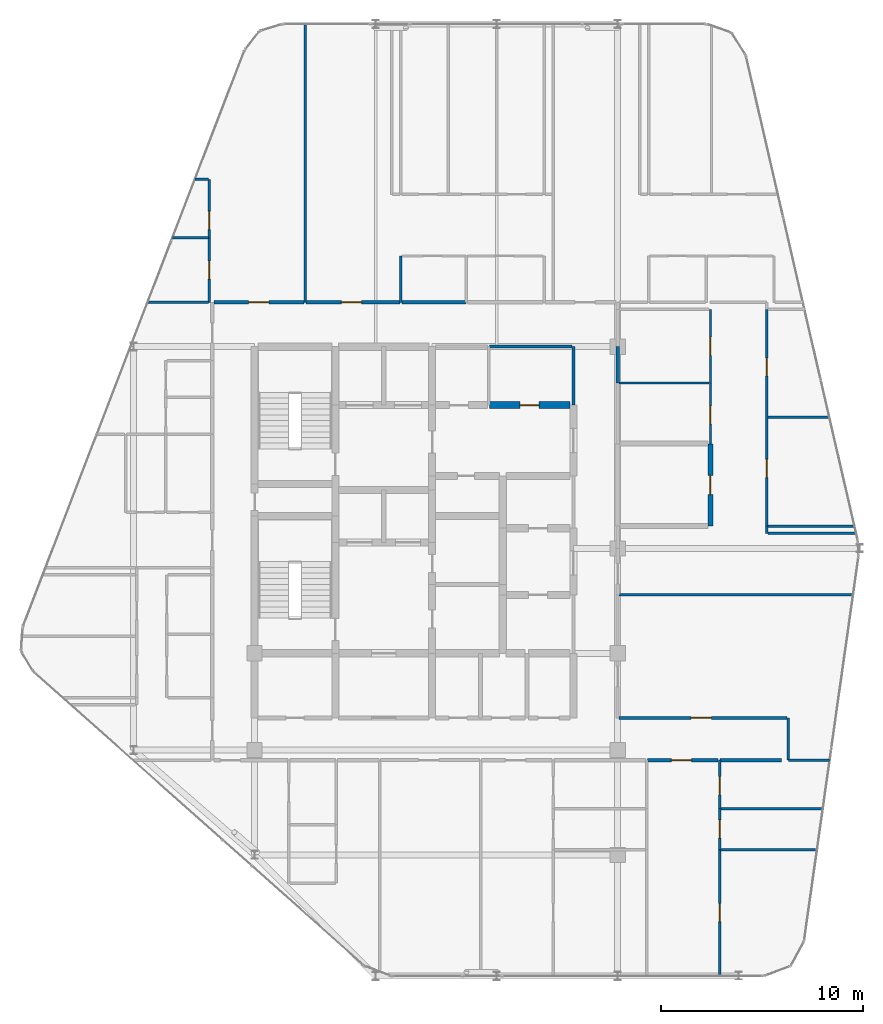
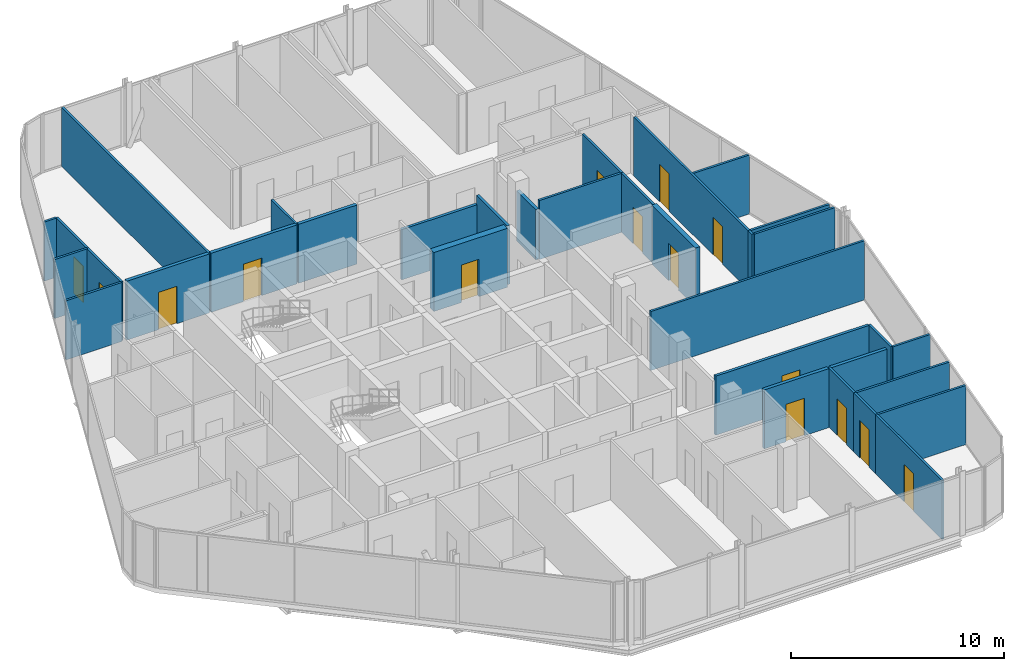
# One storey, part 25 of 27: 34 walls, 15 doors, 15 openings.
"""IFC4 building model written with IfcOpenShell, lengths in metres."""

import ifcopenshell
import ifcopenshell.guid

model = None  # the IFC model being written
_history = None  # IfcOwnerHistory: only IFC2X3 demands one
_inside = {}  # id of a spatial element -> (the spatial element, [elements in it])
_under = {}  # id of a project, library or spatial element -> (it, [spatial elements below it])
_declared = {}  # id of a project -> (the project, [libraries it declares])
_typed = {}  # id of a type object -> (the type object, [elements of that type])
_made_of = {}  # id of a material, layer set ... -> (it, [elements and type objects made of it])


def new_model(schema):
    """Start an empty IFC model of exactly this schema.

    Asked for "IFC4X3", IfcOpenShell would pick the latest addendum, in which some entities
    have other attributes; the version numbers below select the first issue.
    IFC2X3 requires an IfcOwnerHistory on every rooted entity: one is made here for all.
    """
    global model, _history
    if schema == "IFC4X3":
        model = ifcopenshell.file(schema_version=(4, 3, 0, 0))
    else:
        model = ifcopenshell.file(schema=schema)
    _inside.clear()
    _under.clear()
    _declared.clear()
    _typed.clear()
    _made_of.clear()
    _history = None
    if model.schema == "IFC2X3":
        org = make("IfcOrganization", Name="unknown")
        user = make(
            "IfcPersonAndOrganization",
            ThePerson=make("IfcPerson", FamilyName="unknown"),
            TheOrganization=org,
        )
        app = make(
            "IfcApplication",
            ApplicationDeveloper=org,
            Version="unknown",
            ApplicationFullName="unknown",
            ApplicationIdentifier="unknown",
        )
        _history = make(
            "IfcOwnerHistory",
            OwningUser=user,
            OwningApplication=app,
            ChangeAction="ADDED",
            CreationDate=0,
        )
    return model


def make(cls, **values):
    """One entity of the class cls with the attributes given. An attribute that is None is left unset."""
    return model.create_entity(
        cls, **{name: value for name, value in values.items() if value is not None}
    )


def rooted(cls, **values):
    """An entity with a GlobalId (a new one), such as an element, a storey or a relation."""
    return make(cls, GlobalId=ifcopenshell.guid.new(), OwnerHistory=_history, **values)


def si_unit(unit_type, name, prefix=None):
    """IfcSIUnit, for example si_unit("LENGTHUNIT", "METRE", prefix="MILLI")."""
    return make("IfcSIUnit", UnitType=unit_type, Prefix=prefix, Name=name)


def assignment(units):
    """IfcUnitAssignment: the units of a project."""
    return None if units is None else make("IfcUnitAssignment", Units=units)


def point(xyz):
    """IfcCartesianPoint."""
    return None if xyz is None else make("IfcCartesianPoint", Coordinates=xyz)


def direction(xyz):
    """IfcDirection."""
    return None if xyz is None else make("IfcDirection", DirectionRatios=xyz)


def frame(location, z_axis=None, x_axis=None):
    """IfcAxis2Placement3D, a coordinate frame: its origin and axes. An axis left out is left unset."""
    return make(
        "IfcAxis2Placement3D",
        Location=point(location),
        Axis=direction(z_axis),
        RefDirection=direction(x_axis),
    )


def frame_2d(location, x_axis=None):
    """IfcAxis2Placement2D, a coordinate frame in the plane: its origin and x axis."""
    return make(
        "IfcAxis2Placement2D", Location=point(location), RefDirection=direction(x_axis)
    )


def origin():
    """The frame at (0, 0, 0) with its axes left unset."""
    return frame((0.0, 0.0, 0.0))


def place(relative_to, where):
    """IfcLocalPlacement: puts the frame where relative to a parent placement (None: the world)."""
    return make(
        "IfcLocalPlacement", PlacementRelTo=relative_to, RelativePlacement=where
    )


def context(
    kind, dimensions, precision=None, world=None, true_north=None, identifier=None
):
    """IfcGeometricRepresentationContext, for example the 3D "Model" context."""
    return make(
        "IfcGeometricRepresentationContext",
        ContextIdentifier=identifier,
        ContextType=kind,
        CoordinateSpaceDimension=dimensions,
        Precision=precision,
        WorldCoordinateSystem=world,
        TrueNorth=true_north,
    )


def subcontext(parent, identifier, kind, view, scale=None):
    """IfcGeometricRepresentationSubContext, for example "Body" below "Model"."""
    return make(
        "IfcGeometricRepresentationSubContext",
        ContextIdentifier=identifier,
        ContextType=kind,
        ParentContext=parent,
        TargetScale=scale,
        TargetView=view,
    )


def project(units=None, contexts=None):
    """IfcProject with its units and contexts."""
    return rooted(
        "IfcProject",
        Name="project",
        RepresentationContexts=contexts,
        UnitsInContext=assignment(units),
    )


def spatial(cls, under=None, at=None, **own):
    """A site, building, storey or space (cls), placed at a placement, below another one or the project."""
    s = rooted(cls, ObjectPlacement=at, **own)
    if under is not None:
        _under.setdefault(under.id(), (under, []))[1].append(s)
    return s


def profile(cls, at=None, kind="AREA", **sizes):
    """A parametric profile (cls). Its sizes go by their IFC names, for example OverallWidth=200.0."""
    return make(cls, ProfileType=kind, Position=at, **sizes)


def rectangle(**sizes):
    """IfcRectangleProfileDef."""
    return profile("IfcRectangleProfileDef", **sizes)


def extrude(swept, where, along, depth):
    """IfcExtrudedAreaSolid: the profile swept, set in the frame where, extruded along a direction by depth."""
    return make(
        "IfcExtrudedAreaSolid",
        SweptArea=swept,
        Position=where,
        ExtrudedDirection=direction(along),
        Depth=depth,
    )


def shape(context_of_items, identifier, shape_type, items):
    """IfcShapeRepresentation: the items that make up one representation, for example the "Body"."""
    return make(
        "IfcShapeRepresentation",
        ContextOfItems=context_of_items,
        RepresentationIdentifier=identifier,
        RepresentationType=shape_type,
        Items=items,
    )


def material(Name=None, Category=None):
    """IfcMaterial."""
    return make("IfcMaterial", Name=Name, Category=Category)


def layer(
    of_material, thickness, ventilated=None, Name=None, Category=None, Priority=None
):
    """IfcMaterialLayer: one layer of a wall or slab, of a material (None: an air gap)."""
    return make(
        "IfcMaterialLayer",
        Material=of_material,
        LayerThickness=thickness,
        IsVentilated=ventilated,
        Name=Name,
        Category=Category,
        Priority=Priority,
    )


def layer_set(layers, Name=None):
    """IfcMaterialLayerSet."""
    return make("IfcMaterialLayerSet", MaterialLayers=layers, LayerSetName=Name)


def made_of(thing, what):
    """Note that an element or type object is made of a material, layer set ...; save() writes the relation."""
    if what is not None:
        _made_of.setdefault(what.id(), (what, []))[1].append(thing)
    return thing


def type_object(cls, material=None, **own):
    """A type object (cls), such as IfcWallType, which elements share."""
    return made_of(rooted(cls, **own), material)


def element(
    cls,
    number,
    at=None,
    inside=None,
    cuts=None,
    type_object=None,
    material=None,
    context=None,
    identifier="Body",
    shape_type=None,
    held_by="IfcProductDefinitionShape",
    body=None,
    shapes=None,
    **own,
):
    """One element of the class cls, such as IfcWall. Its Tag is "e" and its number.

    at: its placement. inside: the storey or other place that contains it. cuts: it is an
    opening in that element (IfcRelVoidsElement). A single representation is given by context,
    identifier, shape_type and body (its items); several are given by shapes. held_by: the class
    of the entity that holds the representations. save() writes the other relations.
    """
    e = rooted(cls, Tag="e%d" % number, ObjectPlacement=at, **own)
    if body is not None:
        shapes = [shape(context, identifier, shape_type, body)]
    if shapes is not None:
        e.Representation = make(held_by, Representations=shapes)
    if inside is not None:
        _inside.setdefault(inside.id(), (inside, []))[1].append(e)
    if cuts is not None:
        rooted(
            "IfcRelVoidsElement", RelatingBuildingElement=cuts, RelatedOpeningElement=e
        )
    if type_object is not None:
        _typed.setdefault(type_object.id(), (type_object, []))[1].append(e)
    return made_of(e, material)


def fill(opening, filler):
    """IfcRelFillsElement: the door or window that sits in an opening."""
    return rooted(
        "IfcRelFillsElement",
        RelatingOpeningElement=opening,
        RelatedBuildingElement=filler,
    )


def aggregate(whole, parts):
    """IfcRelAggregates: a whole, such as a stair, and the parts it consists of."""
    return rooted("IfcRelAggregates", RelatingObject=whole, RelatedObjects=parts)


def save(model, path):
    """Write the relations noted so far, then the file.

    IfcRelAggregates (storeys below a building ...), IfcRelContainedInSpatialStructure (elements
    in a storey), IfcRelDefinesByType, IfcRelAssociatesMaterial and IfcRelDeclares: one each for
    every whole, place, type object, material and project.
    """
    for whole, parts in _under.values():
        aggregate(whole, parts)
    for where, things in _inside.values():
        rooted(
            "IfcRelContainedInSpatialStructure",
            RelatedElements=things,
            RelatingStructure=where,
        )
    for kind, things in _typed.values():
        rooted("IfcRelDefinesByType", RelatedObjects=things, RelatingType=kind)
    for what, things in _made_of.values():
        rooted("IfcRelAssociatesMaterial", RelatedObjects=things, RelatingMaterial=what)
    for by, libraries in _declared.values():
        rooted("IfcRelDeclares", RelatingContext=by, RelatedDefinitions=libraries)
    model.write(path)


model = new_model("IFC4")

# Units and contexts
model_context = context("Model", 3, precision=1e-05, world=origin(), true_north=direction((0.0, 1.0)))
body_context = subcontext(model_context, "Body", "Model", "MODEL_VIEW")
ifc_project = project(units=[si_unit("LENGTHUNIT", "METRE"), si_unit("AREAUNIT", "SQUARE_METRE"), si_unit("VOLUMEUNIT", "CUBIC_METRE"), si_unit("PLANEANGLEUNIT", "RADIAN"), si_unit("MASSUNIT", "GRAM", prefix="KILO")], contexts=[model_context])

# Site, building, storey
site_placement = place(None, origin())
site = spatial("IfcSite", under=ifc_project, at=site_placement, CompositionType="ELEMENT")
building_placement = place(site_placement, origin())
building = spatial("IfcBuilding", under=site, at=building_placement, Name="Keshet Zoharim Tower", CompositionType="ELEMENT")
storey_placement = place(building_placement, frame((0.0, 0.0, 262.10009765625)))
storey = spatial("IfcBuildingStorey", under=building, at=storey_placement, Name="L65", CompositionType="ELEMENT", Elevation=262.10009765625)

# Wall
ifc_material_1 = material(Name="Gypsum Plasterboard", Category="gypsum")
ifc_layer_1 = layer(ifc_material_1, 0.14990234375)
ifc_layer_set_1 = layer_set([ifc_layer_1], Name="Gypsum Plasterboard")
wall_type_1 = type_object("IfcWallType", Name="WL-CLIN-150", PredefinedType="STANDARD", material=ifc_layer_set_1)
wall_1_placement = place(storey_placement, frame((30.800048828125, 35.0, 0.0), z_axis=(0.0, 0.0, 1.0), x_axis=(0.0, 1.0, 0.0)))
element("IfcWall", 1, at=wall_1_placement, inside=storey, type_object=wall_type_1, Name="L65 Interior Wall 070", PredefinedType="STANDARD", context=body_context, shape_type="SweptSolid", body=[
    extrude(rectangle(XDim=2.89990234375, YDim=0.14990234375, at=frame_2d((1.449951171875, 0.0))), origin(), (0.0, 0.0, 1.0), 3.389892578125),
])

# Wall, opening, door
wall_2_placement = place(storey_placement, frame((33.06005859375, 19.5, 0.0), z_axis=(0.0, 0.0, 1.0), x_axis=(1.0, 0.0, 0.0)))
wall_2 = element("IfcWall", 2, at=wall_2_placement, inside=storey, type_object=wall_type_1, Name="L65 Interior Wall 116", PredefinedType="STANDARD", context=body_context, shape_type="SweptSolid", body=[
    extrude(rectangle(XDim=8.322998046875, YDim=0.14990234375, at=frame_2d((4.16162109375, 0.0))), origin(), (0.0, 0.0, 1.0), 3.389892578125),
])
opening_1_placement = place(wall_2_placement, frame((3.5830078125, 0.0, 0.0)))
opening_1 = element("IfcOpeningElement", 3, at=opening_1_placement, cuts=wall_2, Name="Opening D-F310", PredefinedType="OPENING", context=body_context, shape_type="SweptSolid", body=[
    extrude(rectangle(XDim=1.0, YDim=2.14990234375, at=frame_2d((0.5, 1.074951171875))), frame((0.0, 0.0849609375, 0.0), z_axis=(0.0, -1.0, 0.0), x_axis=(1.0, 0.0, 0.0)), (0.0, 0.0, 1.0), 0.169921875),
])
ifc_material_2 = material(Name="Hardwood Timber", Category="wood")
door_type_1 = type_object("IfcDoorType", Name="DR-FD30-100", OperationType="NOTDEFINED", PredefinedType="DOOR", material=ifc_material_2)
door_1_placement = place(opening_1_placement, origin())
door_1 = element("IfcDoor", 4, at=door_1_placement, inside=storey, type_object=door_type_1, Name="L65 South West Residents Services Suite Door 1", OperationType="SINGLE_SWING_RIGHT", OverallHeight=2.14990234375, OverallWidth=1.0, PredefinedType="DOOR", context=body_context, shape_type="SweptSolid", body=[
    extrude(rectangle(XDim=1.0, YDim=2.14990234375, at=frame_2d((0.5, 1.074951171875))), frame((0.0, 0.02490234375, 0.0), z_axis=(0.0, -1.0, 0.0), x_axis=(1.0, 0.0, 0.0)), (0.0, 0.0, 1.0), 0.050048828125),
])
fill(opening_1, door_1)

# Wall
wall_3_placement = place(storey_placement, frame((26.64501953125, 37.89990234375, 0.0), z_axis=(0.0, 0.0, 1.0), x_axis=(1.0, 0.0, 0.0)))
element("IfcWall", 5, at=wall_3_placement, inside=storey, type_object=wall_type_1, Name="L65 Interior Wall 161", PredefinedType="STANDARD", context=body_context, shape_type="SweptSolid", body=[
    extrude(rectangle(XDim=4.094970703125, YDim=0.14990234375, at=frame_2d((2.04736328125, 0.0))), origin(), (0.0, 0.0, 1.0), 2.889892578125),
])

# Wall, opening, door
ifc_material_3 = material(Name="Concrete C60/75", Category="concrete")
ifc_layer_2 = layer(ifc_material_3, 0.35009765625)
ifc_layer_set_2 = layer_set([ifc_layer_2], Name="Concrete C60/75")
wall_type_2 = type_object("IfcWallType", Name="WL-CORE-350", PredefinedType="SHEAR", material=ifc_layer_set_2)
wall_4_placement = place(storey_placement, frame((26.64501953125, 35.0, 0.0), z_axis=(0.0, 0.0, 1.0), x_axis=(1.0, 0.0, 0.0)))
wall_4 = element("IfcWall", 6, at=wall_4_placement, inside=storey, type_object=wall_type_2, Name="L65 Core Shear Wall 154", PredefinedType="SHEAR", context=body_context, shape_type="SweptSolid", body=[
    extrude(rectangle(XDim=3.994873046875, YDim=0.35009765625, at=frame_2d((1.99755859375, 0.0))), origin(), (0.0, 0.0, 1.0), 3.389892578125),
])
opening_2_placement = place(wall_4_placement, frame((1.508056640625, 0.0, 0.0)))
opening_2 = element("IfcOpeningElement", 7, at=opening_2_placement, cuts=wall_4, Name="Opening D-F695", PredefinedType="OPENING", context=body_context, shape_type="SweptSolid", body=[
    extrude(rectangle(XDim=0.949951171875, YDim=2.14990234375, at=frame_2d((0.47509765625, 1.074951171875))), frame((0.0, 0.18505859375, 0.0), z_axis=(0.0, -1.0, 0.0), x_axis=(1.0, 0.0, 0.0)), (0.0, 0.0, 1.0), 0.3701171875),
])
door_type_2 = type_object("IfcDoorType", Name="DR-FD60-095", OperationType="NOTDEFINED", PredefinedType="DOOR", material=ifc_material_2)
door_2_placement = place(opening_2_placement, frame((0.949951171875, 0.0, 0.0), z_axis=(0.0, 0.0, 1.0), x_axis=(-1.0, 0.0, 0.0)))
door_2 = element("IfcDoor", 8, at=door_2_placement, inside=storey, type_object=door_type_2, Name="L65 Quiet Study Room Door", OperationType="SINGLE_SWING_RIGHT", OverallHeight=2.14990234375, OverallWidth=0.949951171875, PredefinedType="DOOR", context=body_context, shape_type="SweptSolid", body=[
    extrude(rectangle(XDim=0.949951171875, YDim=2.14990234375, at=frame_2d((0.47509765625, 1.074951171875))), frame((0.0, 0.02490234375, 0.0), z_axis=(0.0, -1.0, 0.0), x_axis=(1.0, 0.0, 0.0)), (0.0, 0.0, 1.0), 0.050048828125),
])
fill(opening_2, door_2)

# Wall
ifc_layer_3 = layer(ifc_material_1, 0.179931640625)
ifc_layer_set_3 = layer_set([ifc_layer_3], Name="Gypsum Plasterboard")
wall_type_3 = type_object("IfcWallType", Name="WL-CORR-180", PredefinedType="STANDARD", material=ifc_layer_set_3)
wall_5_placement = place(storey_placement, frame((33.0, 36.094970703125, 0.0), z_axis=(0.0, 0.0, 1.0), x_axis=(0.0, 1.0, 0.0)))
element("IfcWall", 9, at=wall_5_placement, inside=storey, type_object=wall_type_3, Name="L65 Interior Wall 075", PredefinedType="STANDARD", context=body_context, shape_type="SweptSolid", body=[
    extrude(rectangle(XDim=1.804931640625, YDim=0.179931640625, at=frame_2d((0.90234375, 0.0))), origin(), (0.0, 0.0, 1.0), 2.889892578125),
])

# Wall, opening, door
wall_6_placement = place(storey_placement, frame((34.47509765625, 17.39990234375, 0.0), z_axis=(0.0, 0.0, 1.0), x_axis=(1.0, 0.0, 0.0)))
wall_6 = element("IfcWall", 10, at=wall_6_placement, inside=storey, type_object=wall_type_3, Name="L65 Interior Wall 109", PredefinedType="STANDARD", context=body_context, shape_type="SweptSolid", body=[
    extrude(rectangle(XDim=3.510009765625, YDim=0.179931640625, at=frame_2d((1.7548828125, 0.0))), origin(), (0.0, 0.0, 1.0), 3.389892578125),
])
opening_3_placement = place(wall_6_placement, frame((1.18505859375, 0.0, 0.0)))
opening_3 = element("IfcOpeningElement", 11, at=opening_3_placement, cuts=wall_6, Name="Opening D-F310", PredefinedType="OPENING", context=body_context, shape_type="SweptSolid", body=[
    extrude(rectangle(XDim=1.0, YDim=2.14990234375, at=frame_2d((0.5, 1.074951171875))), frame((0.0, 0.10009765625, 0.0), z_axis=(0.0, -1.0, 0.0), x_axis=(1.0, 0.0, 0.0)), (0.0, 0.0, 1.0), 0.199951171875),
])
door_3_placement = place(opening_3_placement, origin())
door_3 = element("IfcDoor", 12, at=door_3_placement, inside=storey, type_object=door_type_1, Name="Apartment 6503 Entrance Door", OperationType="SINGLE_SWING_RIGHT", OverallHeight=2.14990234375, OverallWidth=1.0, PredefinedType="DOOR", context=body_context, shape_type="SweptSolid", body=[
    extrude(rectangle(XDim=1.0, YDim=2.14990234375, at=frame_2d((0.5, 1.074951171875))), frame((0.0, 0.02490234375, 0.0), z_axis=(0.0, -1.0, 0.0), x_axis=(1.0, 0.0, 0.0)), (0.0, 0.0, 1.0), 0.050048828125),
])
fill(opening_3, door_3)

# Wall
wall_7_placement = place(storey_placement, frame((38.074951171875, 17.39990234375, 0.0), z_axis=(0.0, 0.0, 1.0), x_axis=(1.0, 0.0, 0.0)))
element("IfcWall", 13, at=wall_7_placement, inside=storey, type_object=wall_type_3, Name="L65 Interior Wall 110", PredefinedType="STANDARD", context=body_context, shape_type="SweptSolid", body=[
    extrude(rectangle(XDim=3.054931640625, YDim=0.179931640625, at=frame_2d((1.52734375, 0.0))), origin(), (0.0, 0.0, 1.0), 3.389892578125),
])

# Wall, opening, door
wall_8_placement = place(storey_placement, frame((12.97509765625, 40.10009765625, 0.0), z_axis=(0.0, 0.0, 1.0), x_axis=(1.0, 0.0, 0.0)))
wall_8 = element("IfcWall", 14, at=wall_8_placement, inside=storey, type_object=wall_type_3, Name="L65 Interior Wall 165", PredefinedType="STANDARD", context=body_context, shape_type="SweptSolid", body=[
    extrude(rectangle(XDim=4.47998046875, YDim=0.179931640625, at=frame_2d((2.239990234375, 0.0))), origin(), (0.0, 0.0, 1.0), 3.389892578125),
])
opening_4_placement = place(wall_8_placement, frame((1.72509765625, 0.0, 0.0)))
opening_4 = element("IfcOpeningElement", 15, at=opening_4_placement, cuts=wall_8, Name="Opening D-F310", PredefinedType="OPENING", context=body_context, shape_type="SweptSolid", body=[
    extrude(rectangle(XDim=1.0, YDim=2.14990234375, at=frame_2d((0.5, 1.074951171875))), frame((0.0, 0.10009765625, 0.0), z_axis=(0.0, -1.0, 0.0), x_axis=(1.0, 0.0, 0.0)), (0.0, 0.0, 1.0), 0.199951171875),
])
door_4_placement = place(opening_4_placement, origin())
door_4 = element("IfcDoor", 16, at=door_4_placement, inside=storey, type_object=door_type_1, Name="Apartment 6504 Entrance Door", OperationType="SINGLE_SWING_LEFT", OverallHeight=2.14990234375, OverallWidth=1.0, PredefinedType="DOOR", context=body_context, shape_type="SweptSolid", body=[
    extrude(rectangle(XDim=1.0, YDim=2.14990234375, at=frame_2d((0.5, 1.074951171875))), frame((0.0, 0.02490234375, 0.0), z_axis=(0.0, -1.0, 0.0), x_axis=(1.0, 0.0, 0.0)), (0.0, 0.0, 1.0), 0.050048828125),
])
fill(opening_4, door_4)

wall_9_placement = place(storey_placement, frame((17.544921875, 40.10009765625, 0.0), z_axis=(0.0, 0.0, 1.0), x_axis=(1.0, 0.0, 0.0)))
wall_9 = element("IfcWall", 17, at=wall_9_placement, inside=storey, type_object=wall_type_3, Name="L65 Interior Wall 166", PredefinedType="STANDARD", context=body_context, shape_type="SweptSolid", body=[
    extrude(rectangle(XDim=4.66015625, YDim=0.179931640625, at=frame_2d((2.330078125, 0.0))), origin(), (0.0, 0.0, 1.0), 3.389892578125),
])
opening_5_placement = place(wall_9_placement, frame((1.759033203125, 0.0, 0.0)))
opening_5 = element("IfcOpeningElement", 18, at=opening_5_placement, cuts=wall_9, Name="Opening D-F310", PredefinedType="OPENING", context=body_context, shape_type="SweptSolid", body=[
    extrude(rectangle(XDim=1.0, YDim=2.14990234375, at=frame_2d((0.5, 1.074951171875))), frame((0.0, 0.10009765625, 0.0), z_axis=(0.0, -1.0, 0.0), x_axis=(1.0, 0.0, 0.0)), (0.0, 0.0, 1.0), 0.199951171875),
])
door_5_placement = place(opening_5_placement, origin())
door_5 = element("IfcDoor", 19, at=door_5_placement, inside=storey, type_object=door_type_1, Name="Apartment 6505 Entrance Door", OperationType="SINGLE_SWING_RIGHT", OverallHeight=2.14990234375, OverallWidth=1.0, PredefinedType="DOOR", context=body_context, shape_type="SweptSolid", body=[
    extrude(rectangle(XDim=1.0, YDim=2.14990234375, at=frame_2d((0.5, 1.074951171875))), frame((0.0, 0.02490234375, 0.0), z_axis=(0.0, -1.0, 0.0), x_axis=(1.0, 0.0, 0.0)), (0.0, 0.0, 1.0), 0.050048828125),
])
fill(opening_5, door_5)

# Wall
wall_10_placement = place(storey_placement, frame((22.294921875, 40.10009765625, 0.0), z_axis=(0.0, 0.0, 1.0), x_axis=(1.0, 0.0, 0.0)))
element("IfcWall", 20, at=wall_10_placement, inside=storey, type_object=wall_type_3, Name="L65 Interior Wall 167", PredefinedType="STANDARD", context=body_context, shape_type="SweptSolid", body=[
    extrude(rectangle(XDim=3.176025390625, YDim=0.179931640625, at=frame_2d((1.587890625, 0.0))), origin(), (0.0, 0.0, 1.0), 3.389892578125),
])

# Wall, opening, door
ifc_material_4 = material(Name="Concrete C50/60", Category="concrete")
ifc_layer_4 = layer(ifc_material_4, 0.25)
ifc_layer_set_4 = layer_set([ifc_layer_4], Name="Concrete C50/60")
wall_type_4 = type_object("IfcWallType", Name="WL-MAMAD-250", PredefinedType="STANDARD", material=ifc_layer_set_4)
wall_11_placement = place(storey_placement, frame((37.60009765625, 29.0, 0.0), z_axis=(0.0, 0.0, 1.0), x_axis=(0.0, 1.0, 0.0)))
wall_11 = element("IfcWall", 21, at=wall_11_placement, inside=storey, type_object=wall_type_4, Name="L65 Interior Wall 084", PredefinedType="STANDARD", context=body_context, shape_type="SweptSolid", body=[
    extrude(rectangle(XDim=4.0849609375, YDim=0.25, at=frame_2d((2.04248046875, 0.0))), origin(), (0.0, 0.0, 1.0), 3.389892578125),
])
opening_6_placement = place(wall_11_placement, frame((1.568115234375, 0.0, 0.0)))
opening_6 = element("IfcOpeningElement", 22, at=opening_6_placement, cuts=wall_11, Name="Opening D-F695", PredefinedType="OPENING", context=body_context, shape_type="SweptSolid", body=[
    extrude(rectangle(XDim=0.949951171875, YDim=2.14990234375, at=frame_2d((0.47509765625, 1.074951171875))), frame((0.0, 0.135009765625, 0.0), z_axis=(0.0, -1.0, 0.0), x_axis=(1.0, 0.0, 0.0)), (0.0, 0.0, 1.0), 0.27001953125),
])
door_6_placement = place(opening_6_placement, origin())
door_6 = element("IfcDoor", 23, at=door_6_placement, inside=storey, type_object=door_type_2, Name="Apartment 6510 Study and Shelter Room Door", OperationType="SINGLE_SWING_LEFT", OverallHeight=2.14990234375, OverallWidth=0.949951171875, PredefinedType="DOOR", context=body_context, shape_type="SweptSolid", body=[
    extrude(rectangle(XDim=0.949951171875, YDim=2.14990234375, at=frame_2d((0.47509765625, 1.074951171875))), frame((0.0, 0.02490234375, 0.0), z_axis=(0.0, -1.0, 0.0), x_axis=(1.0, 0.0, 0.0)), (0.0, 0.0, 1.0), 0.050048828125),
])
fill(opening_6, door_6)

ifc_layer_5 = layer(ifc_material_1, 0.1201171875)
ifc_layer_set_5 = layer_set([ifc_layer_5], Name="Gypsum Plasterboard")
wall_type_5 = type_object("IfcWallType", Name="WL-PART-120", PredefinedType="PARTITIONING", material=ifc_layer_set_5)
wall_12_placement = place(storey_placement, frame((12.75, 40.10009765625, 0.0), z_axis=(0.0, 0.0, 1.0), x_axis=(0.0, 1.0, 0.0)))
wall_12 = element("IfcWall", 24, at=wall_12_placement, inside=storey, type_object=wall_type_5, Name="L65 Interior Wall 010", PredefinedType="PARTITIONING", context=body_context, shape_type="SweptSolid", body=[
    extrude(rectangle(XDim=3.199951171875, YDim=0.1201171875, at=frame_2d((1.60009765625, 0.0))), origin(), (0.0, 0.0, 1.0), 3.389892578125),
])
opening_7_placement = place(wall_12_placement, frame((1.14990234375, 0.0, 0.0)))
opening_7 = element("IfcOpeningElement", 25, at=opening_7_placement, cuts=wall_12, Name="Opening D-IN90", PredefinedType="OPENING", context=body_context, shape_type="SweptSolid", body=[
    extrude(rectangle(XDim=0.89990234375, YDim=2.14990234375, at=frame_2d((0.449951171875, 1.074951171875))), frame((0.0, 0.070068359375, 0.0), z_axis=(0.0, -1.0, 0.0), x_axis=(1.0, 0.0, 0.0)), (0.0, 0.0, 1.0), 0.14013671875),
])
door_type_3 = type_object("IfcDoorType", Name="DR-INT-090", OperationType="NOTDEFINED", PredefinedType="DOOR", material=ifc_material_2)
door_7_placement = place(opening_7_placement, origin())
door_7 = element("IfcDoor", 26, at=door_7_placement, inside=storey, type_object=door_type_3, Name="Apartment 6504 Kitchenette Door", OperationType="SINGLE_SWING_LEFT", OverallHeight=2.14990234375, OverallWidth=0.89990234375, PredefinedType="DOOR", context=body_context, shape_type="SweptSolid", body=[
    extrude(rectangle(XDim=0.89990234375, YDim=2.14990234375, at=frame_2d((0.449951171875, 1.074951171875))), frame((0.0, 0.02490234375, 0.0), z_axis=(0.0, -1.0, 0.0), x_axis=(1.0, 0.0, 0.0)), (0.0, 0.0, 1.0), 0.050048828125),
])
fill(opening_7, door_7)

# Walls
wall_13_placement = place(storey_placement, frame((17.5, 40.10009765625, 0.0), z_axis=(0.0, 0.0, 1.0), x_axis=(0.0, 1.0, 0.0)))
element("IfcWall", 27, at=wall_13_placement, inside=storey, type_object=wall_type_5, Name="L65 Interior Wall 027", PredefinedType="PARTITIONING", context=body_context, shape_type="SweptSolid", body=[
    extrude(rectangle(XDim=13.789794921875, YDim=0.1201171875, at=frame_2d((6.89501953125, 0.0))), origin(), (0.0, 0.0, 1.0), 3.389892578125),
])
wall_14_placement = place(storey_placement, frame((22.25, 40.10009765625, 0.0), z_axis=(0.0, 0.0, 1.0), x_axis=(0.0, 1.0, 0.0)))
element("IfcWall", 28, at=wall_14_placement, inside=storey, type_object=wall_type_5, Name="L65 Interior Wall 039", PredefinedType="PARTITIONING", context=body_context, shape_type="SweptSolid", body=[
    extrude(rectangle(XDim=2.2998046875, YDim=0.1201171875, at=frame_2d((1.14990234375, 0.0))), origin(), (0.0, 0.0, 1.0), 3.389892578125),
])

# Wall, opening, door
wall_15_placement = place(storey_placement, frame((37.60009765625, 36.094970703125, 0.0), z_axis=(0.0, 0.0, 1.0), x_axis=(0.0, 1.0, 0.0)))
wall_15 = element("IfcWall", 29, at=wall_15_placement, inside=storey, type_object=wall_type_5, Name="L65 Interior Wall 086", PredefinedType="PARTITIONING", context=body_context, shape_type="SweptSolid", body=[
    extrude(rectangle(XDim=3.655029296875, YDim=0.1201171875, at=frame_2d((1.82763671875, 0.0))), origin(), (0.0, 0.0, 1.0), 3.389892578125),
])
opening_8_placement = place(wall_15_placement, frame((1.376953125, 0.0, 0.0)))
opening_8 = element("IfcOpeningElement", 30, at=opening_8_placement, cuts=wall_15, Name="Opening D-IN90", PredefinedType="OPENING", context=body_context, shape_type="SweptSolid", body=[
    extrude(rectangle(XDim=0.89990234375, YDim=2.14990234375, at=frame_2d((0.449951171875, 1.074951171875))), frame((0.0, 0.070068359375, 0.0), z_axis=(0.0, -1.0, 0.0), x_axis=(1.0, 0.0, 0.0)), (0.0, 0.0, 1.0), 0.14013671875),
])
door_8_placement = place(opening_8_placement, origin())
door_8 = element("IfcDoor", 31, at=door_8_placement, inside=storey, type_object=door_type_3, Name="Apartment 6510 Kitchen Door", OperationType="SINGLE_SWING_LEFT", OverallHeight=2.14990234375, OverallWidth=0.89990234375, PredefinedType="DOOR", context=body_context, shape_type="SweptSolid", body=[
    extrude(rectangle(XDim=0.89990234375, YDim=2.14990234375, at=frame_2d((0.449951171875, 1.074951171875))), frame((0.0, 0.02490234375, 0.0), z_axis=(0.0, -1.0, 0.0), x_axis=(1.0, 0.0, 0.0)), (0.0, 0.0, 1.0), 0.050048828125),
])
fill(opening_8, door_8)

wall_16_placement = place(storey_placement, frame((38.050048828125, 6.7099609375, 0.0), z_axis=(0.0, 0.0, 1.0), x_axis=(0.0, 1.0, 0.0)))
wall_16 = element("IfcWall", 32, at=wall_16_placement, inside=storey, type_object=wall_type_5, Name="L65 Interior Wall 088", PredefinedType="PARTITIONING", context=body_context, shape_type="SweptSolid", body=[
    extrude(rectangle(XDim=6.260009765625, YDim=0.1201171875, at=frame_2d((3.1298828125, 0.0))), origin(), (0.0, 0.0, 1.0), 3.389892578125),
])
opening_9_placement = place(wall_16_placement, frame((2.679931640625, 0.0, 0.0)))
opening_9 = element("IfcOpeningElement", 33, at=opening_9_placement, cuts=wall_16, Name="Opening D-IN90", PredefinedType="OPENING", context=body_context, shape_type="SweptSolid", body=[
    extrude(rectangle(XDim=0.89990234375, YDim=2.14990234375, at=frame_2d((0.449951171875, 1.074951171875))), frame((0.0, 0.070068359375, 0.0), z_axis=(0.0, -1.0, 0.0), x_axis=(1.0, 0.0, 0.0)), (0.0, 0.0, 1.0), 0.14013671875),
])
door_9_placement = place(opening_9_placement, origin())
door_9 = element("IfcDoor", 34, at=door_9_placement, inside=storey, type_object=door_type_3, Name="Apartment 6503 Bedroom 1 Door", OperationType="SINGLE_SWING_RIGHT", OverallHeight=2.14990234375, OverallWidth=0.89990234375, PredefinedType="DOOR", context=body_context, shape_type="SweptSolid", body=[
    extrude(rectangle(XDim=0.89990234375, YDim=2.14990234375, at=frame_2d((0.449951171875, 1.074951171875))), frame((0.0, 0.02490234375, 0.0), z_axis=(0.0, -1.0, 0.0), x_axis=(1.0, 0.0, 0.0)), (0.0, 0.0, 1.0), 0.050048828125),
])
fill(opening_9, door_9)

wall_17_placement = place(storey_placement, frame((38.050048828125, 12.969970703125, 0.0), z_axis=(0.0, 0.0, 1.0), x_axis=(0.0, 1.0, 0.0)))
wall_17 = element("IfcWall", 35, at=wall_17_placement, inside=storey, type_object=wall_type_5, Name="L65 Interior Wall 089", PredefinedType="PARTITIONING", context=body_context, shape_type="SweptSolid", body=[
    extrude(rectangle(XDim=2.0380859375, YDim=0.1201171875, at=frame_2d((1.01904296875, 0.0))), origin(), (0.0, 0.0, 1.0), 3.389892578125),
])
opening_10_placement = place(wall_17_placement, frame((0.569091796875, 0.0, 0.0)))
opening_10 = element("IfcOpeningElement", 36, at=opening_10_placement, cuts=wall_17, Name="Opening D-IN90", PredefinedType="OPENING", context=body_context, shape_type="SweptSolid", body=[
    extrude(rectangle(XDim=0.89990234375, YDim=2.14990234375, at=frame_2d((0.449951171875, 1.074951171875))), frame((0.0, 0.070068359375, 0.0), z_axis=(0.0, -1.0, 0.0), x_axis=(1.0, 0.0, 0.0)), (0.0, 0.0, 1.0), 0.14013671875),
])
door_10_placement = place(opening_10_placement, origin())
door_10 = element("IfcDoor", 37, at=door_10_placement, inside=storey, type_object=door_type_3, Name="Apartment 6503 Kitchen Door", OperationType="SINGLE_SWING_LEFT", OverallHeight=2.14990234375, OverallWidth=0.89990234375, PredefinedType="DOOR", context=body_context, shape_type="SweptSolid", body=[
    extrude(rectangle(XDim=0.89990234375, YDim=2.14990234375, at=frame_2d((0.449951171875, 1.074951171875))), frame((0.0, 0.02490234375, 0.0), z_axis=(0.0, -1.0, 0.0), x_axis=(1.0, 0.0, 0.0)), (0.0, 0.0, 1.0), 0.050048828125),
])
fill(opening_10, door_10)

# Wall
wall_18_placement = place(storey_placement, frame((40.39990234375, 28.64990234375, 0.0), z_axis=(0.0, 0.0, 1.0), x_axis=(0.0, 1.0, 0.0)))
element("IfcWall", 38, at=wall_18_placement, inside=storey, type_object=wall_type_5, Name="L65 Interior Wall 091", PredefinedType="PARTITIONING", context=body_context, shape_type="SweptSolid", body=[
    extrude(rectangle(XDim=0.35009765625, YDim=0.1201171875, at=frame_2d((0.175048828125, 0.0))), origin(), (0.0, 0.0, 1.0), 3.389892578125),
])

# Wall, openings, doors
wall_19_placement = place(storey_placement, frame((40.39990234375, 29.0, 0.0), z_axis=(0.0, 0.0, 1.0), x_axis=(0.0, 1.0, 0.0)))
wall_19 = element("IfcWall", 39, at=wall_19_placement, inside=storey, type_object=wall_type_5, Name="L65 Interior Wall 092", PredefinedType="PARTITIONING", context=body_context, shape_type="SweptSolid", body=[
    extrude(rectangle(XDim=10.75, YDim=0.1201171875, at=frame_2d((5.375, 0.0))), origin(), (0.0, 0.0, 1.0), 3.389892578125),
])
opening_11_placement = place(wall_19_placement, frame((2.4130859375, 0.0, 0.0)))
opening_11 = element("IfcOpeningElement", 40, at=opening_11_placement, cuts=wall_19, Name="Opening D-IN90", PredefinedType="OPENING", context=body_context, shape_type="SweptSolid", body=[
    extrude(rectangle(XDim=0.89990234375, YDim=2.14990234375, at=frame_2d((0.449951171875, 1.074951171875))), frame((0.0, 0.070068359375, 0.0), z_axis=(0.0, -1.0, 0.0), x_axis=(1.0, 0.0, 0.0)), (0.0, 0.0, 1.0), 0.14013671875),
])
opening_12_placement = place(wall_19_placement, frame((7.43798828125, 0.0, 0.0)))
opening_12 = element("IfcOpeningElement", 41, at=opening_12_placement, cuts=wall_19, Name="Opening D-IN90", PredefinedType="OPENING", context=body_context, shape_type="SweptSolid", body=[
    extrude(rectangle(XDim=0.89990234375, YDim=2.14990234375, at=frame_2d((0.449951171875, 1.074951171875))), frame((0.0, 0.070068359375, 0.0), z_axis=(0.0, -1.0, 0.0), x_axis=(1.0, 0.0, 0.0)), (0.0, 0.0, 1.0), 0.14013671875),
])
door_11_placement = place(opening_11_placement, origin())
door_11 = element("IfcDoor", 42, at=door_11_placement, inside=storey, type_object=door_type_3, Name="Apartment 6510 Bedroom 1 Door", OperationType="SINGLE_SWING_LEFT", OverallHeight=2.14990234375, OverallWidth=0.89990234375, PredefinedType="DOOR", context=body_context, shape_type="SweptSolid", body=[
    extrude(rectangle(XDim=0.89990234375, YDim=2.14990234375, at=frame_2d((0.449951171875, 1.074951171875))), frame((0.0, 0.02490234375, 0.0), z_axis=(0.0, -1.0, 0.0), x_axis=(1.0, 0.0, 0.0)), (0.0, 0.0, 1.0), 0.050048828125),
])
fill(opening_11, door_11)
door_12_placement = place(opening_12_placement, origin())
door_12 = element("IfcDoor", 43, at=door_12_placement, inside=storey, type_object=door_type_3, Name="Apartment 6510 Bedroom 2 Door", OperationType="SINGLE_SWING_RIGHT", OverallHeight=2.14990234375, OverallWidth=0.89990234375, PredefinedType="DOOR", context=body_context, shape_type="SweptSolid", body=[
    extrude(rectangle(XDim=0.89990234375, YDim=2.14990234375, at=frame_2d((0.449951171875, 1.074951171875))), frame((0.0, 0.02490234375, 0.0), z_axis=(0.0, -1.0, 0.0), x_axis=(1.0, 0.0, 0.0)), (0.0, 0.0, 1.0), 0.050048828125),
])
fill(opening_12, door_12)

# Walls
wall_20_placement = place(storey_placement, frame((41.449951171875, 17.39990234375, 0.0), z_axis=(0.0, 0.0, 1.0), x_axis=(0.0, 1.0, 0.0)))
element("IfcWall", 44, at=wall_20_placement, inside=storey, type_object=wall_type_5, Name="L65 Interior Wall 095", PredefinedType="PARTITIONING", context=body_context, shape_type="SweptSolid", body=[
    extrude(rectangle(XDim=2.09912109375, YDim=0.1201171875, at=frame_2d((1.049560546875, 0.0))), origin(), (0.0, 0.0, 1.0), 3.389892578125),
])
wall_21_placement = place(storey_placement, frame((38.074951171875, 12.949951171875, 0.0), z_axis=(0.0, 0.0, 1.0), x_axis=(1.0, 0.0, 0.0)))
element("IfcWall", 45, at=wall_21_placement, inside=storey, type_object=wall_type_5, Name="L65 Interior Wall 098", PredefinedType="PARTITIONING", context=body_context, shape_type="SweptSolid", body=[
    extrude(rectangle(XDim=4.799072265625, YDim=0.1201171875, at=frame_2d((2.3994140625, 0.0))), origin(), (0.0, 0.0, 1.0), 3.389892578125),
])
wall_22_placement = place(storey_placement, frame((33.074951171875, 25.60009765625, 0.0), z_axis=(0.0, 0.0, 1.0), x_axis=(1.0, 0.0, 0.0)))
element("IfcWall", 46, at=wall_22_placement, inside=storey, type_object=wall_type_5, Name="L65 Interior Wall 128", PredefinedType="PARTITIONING", context=body_context, shape_type="SweptSolid", body=[
    extrude(rectangle(XDim=11.590087890625, YDim=0.1201171875, at=frame_2d((5.794921875, 0.0))), origin(), (0.0, 0.0, 1.0), 3.389892578125),
])
wall_23_placement = place(storey_placement, frame((40.465087890625, 28.64990234375, 0.0), z_axis=(0.0, 0.0, 1.0), x_axis=(1.0, 0.0, 0.0)))
element("IfcWall", 47, at=wall_23_placement, inside=storey, type_object=wall_type_5, Name="L65 Interior Wall 135", PredefinedType="PARTITIONING", context=body_context, shape_type="SweptSolid", body=[
    extrude(rectangle(XDim=4.350830078125, YDim=0.1201171875, at=frame_2d((2.17529296875, 0.0))), origin(), (0.0, 0.0, 1.0), 3.389892578125),
])
wall_24_placement = place(storey_placement, frame((40.465087890625, 29.0, 0.0), z_axis=(0.0, 0.0, 1.0), x_axis=(1.0, 0.0, 0.0)))
element("IfcWall", 48, at=wall_24_placement, inside=storey, type_object=wall_type_5, Name="L65 Interior Wall 138", PredefinedType="PARTITIONING", context=body_context, shape_type="SweptSolid", body=[
    extrude(rectangle(XDim=4.27099609375, YDim=0.1201171875, at=frame_2d((2.135498046875, 0.0))), origin(), (0.0, 0.0, 1.0), 3.389892578125),
])
wall_25_placement = place(storey_placement, frame((40.465087890625, 34.39990234375, 0.0), z_axis=(0.0, 0.0, 1.0), x_axis=(1.0, 0.0, 0.0)))
element("IfcWall", 49, at=wall_25_placement, inside=storey, type_object=wall_type_5, Name="L65 Interior Wall 151", PredefinedType="PARTITIONING", context=body_context, shape_type="SweptSolid", body=[
    extrude(rectangle(XDim=3.02490234375, YDim=0.1201171875, at=frame_2d((1.512451171875, 0.0))), origin(), (0.0, 0.0, 1.0), 3.389892578125),
])
wall_26_placement = place(storey_placement, frame((9.701904296875, 40.10009765625, 0.0), z_axis=(0.0, 0.0, 1.0), x_axis=(1.0, 0.0, 0.0)))
element("IfcWall", 50, at=wall_26_placement, inside=storey, type_object=wall_type_5, Name="L65 Interior Wall 164", PredefinedType="PARTITIONING", context=body_context, shape_type="SweptSolid", body=[
    extrude(rectangle(XDim=3.01904296875, YDim=0.1201171875, at=frame_2d((1.509521484375, 0.0))), origin(), (0.0, 0.0, 1.0), 3.389892578125),
])

# Wall, opening, door
ifc_layer_6 = layer(ifc_material_1, 0.1201171875)
ifc_layer_set_6 = layer_set([ifc_layer_6], Name="Gypsum Plasterboard")
wall_type_6 = type_object("IfcWallType", Name="WL-WET-120", PredefinedType="PARTITIONING", material=ifc_layer_set_6)
wall_27_placement = place(storey_placement, frame((12.75, 43.300048828125, 0.0), z_axis=(0.0, 0.0, 1.0), x_axis=(0.0, 1.0, 0.0)))
wall_27 = element("IfcWall", 51, at=wall_27_placement, inside=storey, type_object=wall_type_6, Name="L65 Interior Wall 011", PredefinedType="PARTITIONING", context=body_context, shape_type="SweptSolid", body=[
    extrude(rectangle(XDim=2.89990234375, YDim=0.1201171875, at=frame_2d((1.449951171875, 0.0))), origin(), (0.0, 0.0, 1.0), 3.389892578125),
])
opening_13_placement = place(wall_27_placement, frame((0.406982421875, 0.0, 0.0)))
opening_13 = element("IfcOpeningElement", 52, at=opening_13_placement, cuts=wall_27, Name="Opening D-WT90", PredefinedType="OPENING", context=body_context, shape_type="SweptSolid", body=[
    extrude(rectangle(XDim=0.89990234375, YDim=2.10009765625, at=frame_2d((0.449951171875, 1.050048828125))), frame((0.0, 0.070068359375, 0.0), z_axis=(0.0, -1.0, 0.0), x_axis=(1.0, 0.0, 0.0)), (0.0, 0.0, 1.0), 0.14013671875),
])
door_type_4 = type_object("IfcDoorType", Name="DR-WET-090", OperationType="NOTDEFINED", PredefinedType="DOOR", material=ifc_material_2)
door_13_placement = place(opening_13_placement, origin())
door_13 = element("IfcDoor", 53, at=door_13_placement, inside=storey, type_object=door_type_4, Name="Apartment 6504 Bathroom Door", OperationType="SINGLE_SWING_RIGHT", OverallHeight=2.10009765625, OverallWidth=0.89990234375, PredefinedType="DOOR", context=body_context, shape_type="SweptSolid", body=[
    extrude(rectangle(XDim=0.89990234375, YDim=2.10009765625, at=frame_2d((0.449951171875, 1.050048828125))), frame((0.0, 0.02490234375, 0.0), z_axis=(0.0, -1.0, 0.0), x_axis=(1.0, 0.0, 0.0)), (0.0, 0.0, 1.0), 0.050048828125),
])
fill(opening_13, door_13)

wall_28_placement = place(storey_placement, frame((37.60009765625, 33.0849609375, 0.0), z_axis=(0.0, 0.0, 1.0), x_axis=(0.0, 1.0, 0.0)))
wall_28 = element("IfcWall", 54, at=wall_28_placement, inside=storey, type_object=wall_type_6, Name="L65 Interior Wall 085", PredefinedType="PARTITIONING", context=body_context, shape_type="SweptSolid", body=[
    extrude(rectangle(XDim=3.010009765625, YDim=0.1201171875, at=frame_2d((1.5048828125, 0.0))), origin(), (0.0, 0.0, 1.0), 3.389892578125),
])
opening_14_placement = place(wall_28_placement, frame((0.98193359375, 0.0, 0.0)))
opening_14 = element("IfcOpeningElement", 55, at=opening_14_placement, cuts=wall_28, Name="Opening D-WT90", PredefinedType="OPENING", context=body_context, shape_type="SweptSolid", body=[
    extrude(rectangle(XDim=0.89990234375, YDim=2.10009765625, at=frame_2d((0.449951171875, 1.050048828125))), frame((0.0, 0.070068359375, 0.0), z_axis=(0.0, -1.0, 0.0), x_axis=(1.0, 0.0, 0.0)), (0.0, 0.0, 1.0), 0.14013671875),
])
door_14_placement = place(opening_14_placement, origin())
door_14 = element("IfcDoor", 56, at=door_14_placement, inside=storey, type_object=door_type_4, Name="Apartment 6510 Bathroom Door", OperationType="SINGLE_SWING_RIGHT", OverallHeight=2.10009765625, OverallWidth=0.89990234375, PredefinedType="DOOR", context=body_context, shape_type="SweptSolid", body=[
    extrude(rectangle(XDim=0.89990234375, YDim=2.10009765625, at=frame_2d((0.449951171875, 1.050048828125))), frame((0.0, 0.02490234375, 0.0), z_axis=(0.0, -1.0, 0.0), x_axis=(1.0, 0.0, 0.0)), (0.0, 0.0, 1.0), 0.050048828125),
])
fill(opening_14, door_14)

wall_29_placement = place(storey_placement, frame((38.050048828125, 15.008056640625, 0.0), z_axis=(0.0, 0.0, 1.0), x_axis=(0.0, 1.0, 0.0)))
wall_29 = element("IfcWall", 57, at=wall_29_placement, inside=storey, type_object=wall_type_6, Name="L65 Interior Wall 090", PredefinedType="PARTITIONING", context=body_context, shape_type="SweptSolid", body=[
    extrude(rectangle(XDim=2.391845703125, YDim=0.1201171875, at=frame_2d((1.19580078125, 0.0))), origin(), (0.0, 0.0, 1.0), 3.389892578125),
])
opening_15_placement = place(wall_29_placement, frame((0.675048828125, 0.0, 0.0)))
opening_15 = element("IfcOpeningElement", 58, at=opening_15_placement, cuts=wall_29, Name="Opening D-WT90", PredefinedType="OPENING", context=body_context, shape_type="SweptSolid", body=[
    extrude(rectangle(XDim=0.89990234375, YDim=2.10009765625, at=frame_2d((0.449951171875, 1.050048828125))), frame((0.0, 0.070068359375, 0.0), z_axis=(0.0, -1.0, 0.0), x_axis=(1.0, 0.0, 0.0)), (0.0, 0.0, 1.0), 0.14013671875),
])
door_15_placement = place(opening_15_placement, origin())
door_15 = element("IfcDoor", 59, at=door_15_placement, inside=storey, type_object=door_type_4, Name="Apartment 6503 Bathroom Door", OperationType="SINGLE_SWING_RIGHT", OverallHeight=2.10009765625, OverallWidth=0.89990234375, PredefinedType="DOOR", context=body_context, shape_type="SweptSolid", body=[
    extrude(rectangle(XDim=0.89990234375, YDim=2.10009765625, at=frame_2d((0.449951171875, 1.050048828125))), frame((0.0, 0.02490234375, 0.0), z_axis=(0.0, -1.0, 0.0), x_axis=(1.0, 0.0, 0.0)), (0.0, 0.0, 1.0), 0.050048828125),
])
fill(opening_15, door_15)

# Walls
wall_30_placement = place(storey_placement, frame((38.074951171875, 15.0, 0.0), z_axis=(0.0, 0.0, 1.0), x_axis=(1.0, 0.0, 0.0)))
element("IfcWall", 60, at=wall_30_placement, inside=storey, type_object=wall_type_6, Name="L65 Interior Wall 101", PredefinedType="PARTITIONING", context=body_context, shape_type="SweptSolid", body=[
    extrude(rectangle(XDim=5.089111328125, YDim=0.1201171875, at=frame_2d((2.54443359375, 0.0))), origin(), (0.0, 0.0, 1.0), 3.389892578125),
])
wall_31_placement = place(storey_placement, frame((41.472900390625, 17.39990234375, 0.0), z_axis=(0.0, 0.0, 1.0), x_axis=(1.0, 0.0, 0.0)))
element("IfcWall", 61, at=wall_31_placement, inside=storey, type_object=wall_type_6, Name="L65 Interior Wall 111", PredefinedType="PARTITIONING", context=body_context, shape_type="SweptSolid", body=[
    extrude(rectangle(XDim=2.031005859375, YDim=0.1201171875, at=frame_2d((1.015625, 0.0))), origin(), (0.0, 0.0, 1.0), 3.389892578125),
])
wall_32_placement = place(storey_placement, frame((33.074951171875, 36.10009765625, 0.0), z_axis=(0.0, 0.0, 1.0), x_axis=(1.0, 0.0, 0.0)))
element("IfcWall", 62, at=wall_32_placement, inside=storey, type_object=wall_type_6, Name="L65 Interior Wall 156", PredefinedType="PARTITIONING", context=body_context, shape_type="SweptSolid", body=[
    extrude(rectangle(XDim=4.4599609375, YDim=0.1201171875, at=frame_2d((2.22998046875, 0.0))), origin(), (0.0, 0.0, 1.0), 3.389892578125),
])
wall_33_placement = place(storey_placement, frame((10.93310546875, 43.300048828125, 0.0), z_axis=(0.0, 0.0, 1.0), x_axis=(1.0, 0.0, 0.0)))
element("IfcWall", 63, at=wall_33_placement, inside=storey, type_object=wall_type_6, Name="L65 Interior Wall 178", PredefinedType="PARTITIONING", context=body_context, shape_type="SweptSolid", body=[
    extrude(rectangle(XDim=1.787841796875, YDim=0.1201171875, at=frame_2d((0.89404296875, 0.0))), origin(), (0.0, 0.0, 1.0), 3.389892578125),
])
wall_34_placement = place(storey_placement, frame((12.048095703125, 46.199951171875, 0.0), z_axis=(0.0, 0.0, 1.0), x_axis=(1.0, 0.0, 0.0)))
element("IfcWall", 64, at=wall_34_placement, inside=storey, type_object=wall_type_6, Name="L65 Interior Wall 184", PredefinedType="PARTITIONING", context=body_context, shape_type="SweptSolid", body=[
    extrude(rectangle(XDim=0.6728515625, YDim=0.1201171875, at=frame_2d((0.33642578125, 0.0))), origin(), (0.0, 0.0, 1.0), 3.389892578125),
])

save(model, "model.ifc")
